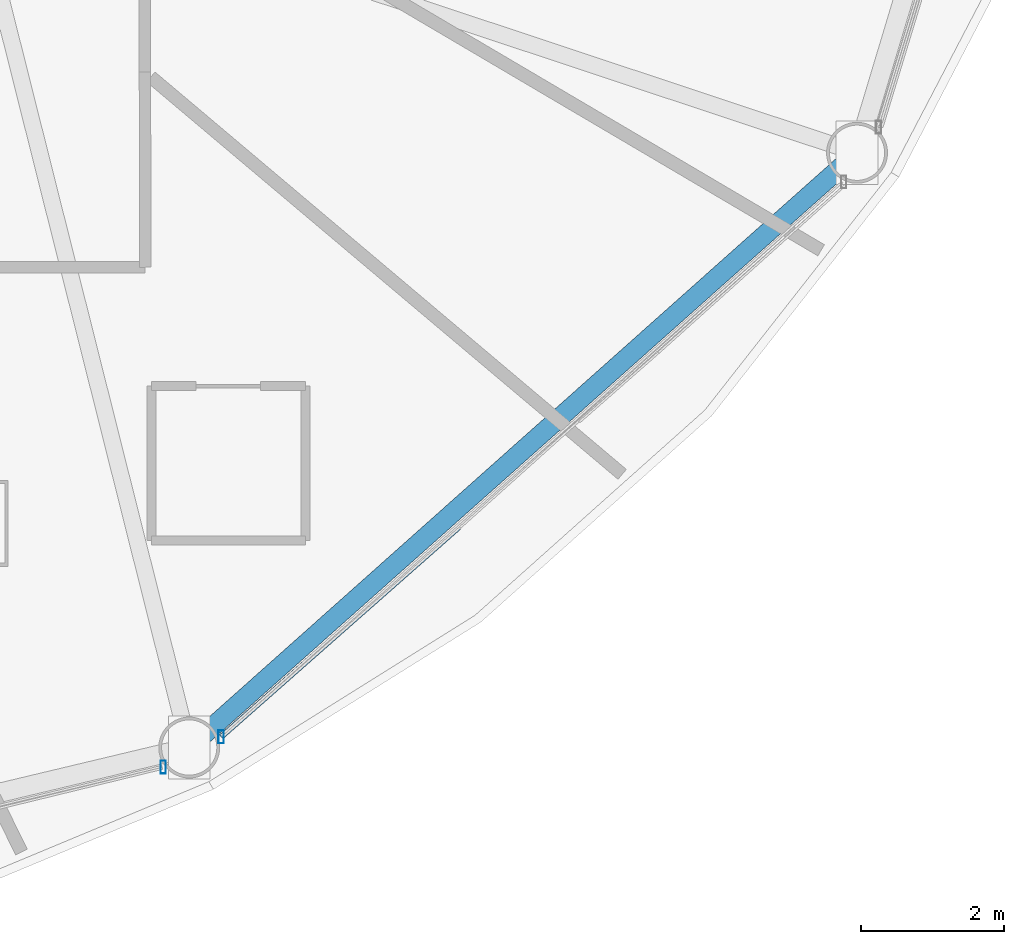
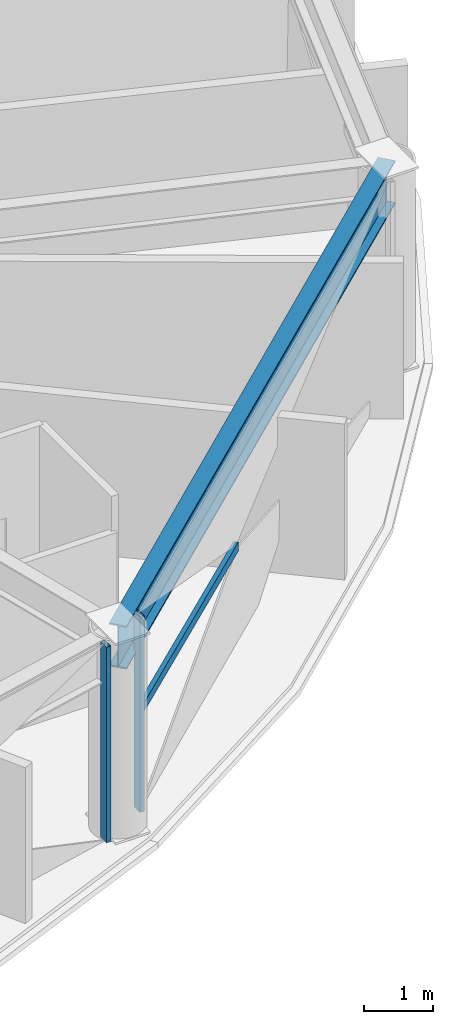
# One storey, part 9 of 31: 3 members, 1 beam, 2 elements without a shape of their own.
"""IFC4 building model written with IfcOpenShell, lengths in metres."""

from ifc_helpers import new_model, si_unit, direction, frame, origin, origin_2d, place, context, subcontext, project, spatial, hollow_rectangle, i_section, extrude, material, layer, layer_set, material_profile, profile_set, type_object, element, aggregate, save


model = new_model("IFC4")

# Units and contexts
model_context = context("Model", 3, precision=1e-05, world=origin(), true_north=direction((0.0, 1.0)))
body_context = subcontext(model_context, "Body", "Model", "MODEL_VIEW")
ifc_project = project(units=[si_unit("LENGTHUNIT", "METRE"), si_unit("AREAUNIT", "SQUARE_METRE"), si_unit("VOLUMEUNIT", "CUBIC_METRE"), si_unit("PLANEANGLEUNIT", "RADIAN"), si_unit("MASSUNIT", "GRAM", prefix="KILO")], contexts=[model_context])

# Site, building, storey
site_placement = place(None, origin())
site = spatial("IfcSite", under=ifc_project, at=site_placement, CompositionType="ELEMENT")
building_placement = place(site_placement, origin())
building = spatial("IfcBuilding", under=site, at=building_placement, Name="Vantalir Tower", CompositionType="ELEMENT")
storey_placement = place(building_placement, frame((0.0, 0.0, 30.75)))
storey = spatial("IfcBuildingStorey", under=building, at=storey_placement, Name="L06", CompositionType="ELEMENT", Elevation=30.75)

# Beam
ifc_material_1 = material(Name="Steel S460", Category="steel")
ifc_material_profile_1 = material_profile(ifc_material_1, i_section(OverallWidth=0.26806640625, OverallDepth=0.77001953125, WebThickness=0.015625, FlangeThickness=0.025390625, at=origin_2d()), Name="Steel S460")
ifc_profile_set_1 = profile_set([ifc_material_profile_1], Name="Steel S460")
beam_type = type_object("IfcBeamType", Name="BM-RG-762x267", PredefinedType="USERDEFINED", material=ifc_profile_set_1)
beam_placement = place(storey_placement, frame((44.22509765625, 5.3720703125, 3.18505859375), z_axis=(0.746774014303, 0.665077868795, 0.0), x_axis=(-0.665077868795, 0.746774014303, 0.0)))
element("IfcBeam", 1, at=beam_placement, inside=storey, type_object=beam_type, Name="L06 Circumferential Ring Girder 11", ObjectType="GIRDER", PredefinedType="USERDEFINED", context=body_context, shape_type="SweptSolid", body=[
    extrude(i_section(OverallWidth=0.26806640625, OverallDepth=0.77001953125, WebThickness=0.015625, FlangeThickness=0.025390625, at=origin_2d()), origin(), (0.0, 0.0, 1.0), 12.4736328125),
])

# Curtain wall, member
ifc_material_2 = material(Name="Champagne-silver PVDF aluminium and double-silver Low-E glass", Category="aluminium")
ifc_layer = layer(ifc_material_2, 0.18994140625)
ifc_layer_set = layer_set([ifc_layer], Name="Champagne-silver PVDF aluminium and double-silver Low-E glass")
curtain_wall_type = type_object("IfcCurtainWallType", Name="CW-DIAMOND-Z1", PredefinedType="USERDEFINED", material=ifc_layer_set)
curtain_wall_1_placement = place(storey_placement, origin())
curtain_wall_1 = element("IfcCurtainWall", 2, at=curtain_wall_1_placement, inside=storey, type_object=curtain_wall_type, Name="L06 Quilted Pyramid-Diamond Curtain Wall S10", ObjectType="UNITISED CURTAIN WALL", PredefinedType="USERDEFINED")
ifc_material_3 = material(Name="Champagne-silver PVDF aluminium 6063-T6", Category="aluminium")
ifc_material_profile_2 = material_profile(ifc_material_3, hollow_rectangle(XDim=0.074951171875, YDim=0.179931640625, WallThickness=0.00390625, at=origin_2d()), Name="Champagne-silver PVDF aluminium 6063-T6")
ifc_profile_set_2 = profile_set([ifc_material_profile_2], Name="Champagne-silver PVDF aluminium 6063-T6")
member_type_1 = type_object("IfcMemberType", Name="CWM-180x75", PredefinedType="MULLION", material=ifc_profile_set_2)
member_1_placement = place(storey_placement, frame((43.863037109375, 5.09912109375, 0.044921875), z_axis=(0.0, 0.0, 1.0), x_axis=(1.0, 0.0, 0.0)))
member_1 = element("IfcMember", 3, at=member_1_placement, type_object=member_type_1, Name="CW-L06-S10 Mullion 2", PredefinedType="MULLION", context=body_context, shape_type="SweptSolid", body=[
    extrude(hollow_rectangle(XDim=0.074951171875, YDim=0.179931640625, WallThickness=0.00390625, at=origin_2d()), origin(), (0.0, 0.0, 1.0), 3.47998046875),
])
aggregate(curtain_wall_1, [member_1])

# Curtain wall, members
curtain_wall_2_placement = place(storey_placement, origin())
curtain_wall_2 = element("IfcCurtainWall", 4, at=curtain_wall_2_placement, inside=storey, type_object=curtain_wall_type, Name="L06 Quilted Pyramid-Diamond Curtain Wall S11", ObjectType="UNITISED CURTAIN WALL", PredefinedType="USERDEFINED")
member_2_placement = place(storey_placement, frame((44.6708984375, 5.52099609375, 0.044921875), z_axis=(0.0, 0.0, 1.0), x_axis=(1.0, 0.0, 0.0)))
member_2 = element("IfcMember", 5, at=member_2_placement, type_object=member_type_1, Name="CW-L06-S11 Mullion 1", PredefinedType="MULLION", context=body_context, shape_type="SweptSolid", body=[
    extrude(hollow_rectangle(XDim=0.074951171875, YDim=0.179931640625, WallThickness=0.00390625, at=origin_2d()), origin(), (0.0, 0.0, 1.0), 3.47998046875),
])
ifc_material_profile_3 = material_profile(ifc_material_3, hollow_rectangle(XDim=0.074951171875, YDim=0.159912109375, WallThickness=0.00390625, at=origin_2d()), Name="Champagne-silver PVDF aluminium 6063-T6")
ifc_profile_set_3 = profile_set([ifc_material_profile_3], Name="Champagne-silver PVDF aluminium 6063-T6")
member_type_2 = type_object("IfcMemberType", Name="CWT-160x75", PredefinedType="USERDEFINED", material=ifc_profile_set_3)
member_3_placement = place(storey_placement, frame((44.6708984375, 5.52099609375, 1.784912109375), z_axis=(0.750056976402, 0.661373216989, 0.0), x_axis=(-0.661373216989, 0.750056976402, 0.0)))
member_3 = element("IfcMember", 6, at=member_3_placement, type_object=member_type_2, Name="CW-L06-S11 Pyramid Fold Ridge Transom", ObjectType="TRANSOM", PredefinedType="USERDEFINED", context=body_context, shape_type="SweptSolid", body=[
    extrude(hollow_rectangle(XDim=0.074951171875, YDim=0.159912109375, WallThickness=0.00390625, at=origin_2d()), origin(), (0.0, 0.0, 1.0), 4.421142578125),
])
aggregate(curtain_wall_2, [member_2, member_3])

save(model, "model.ifc")
